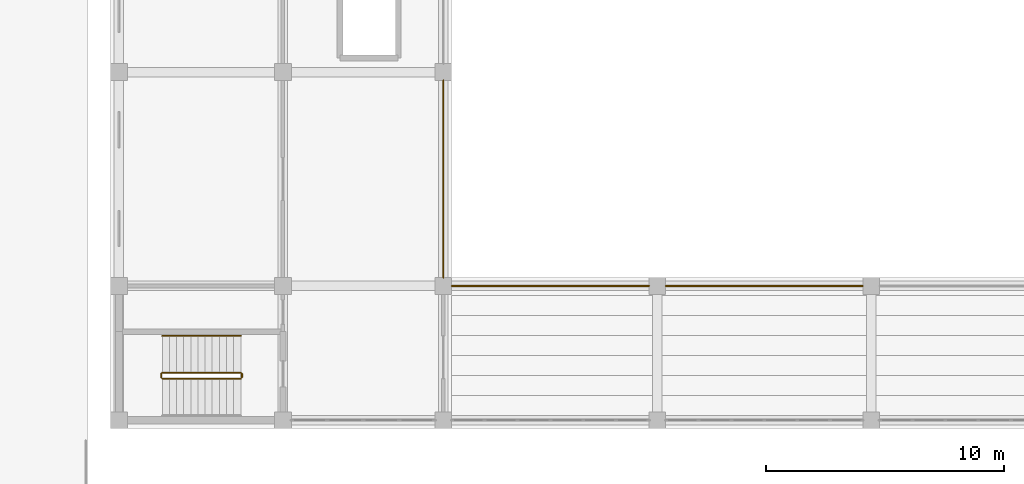
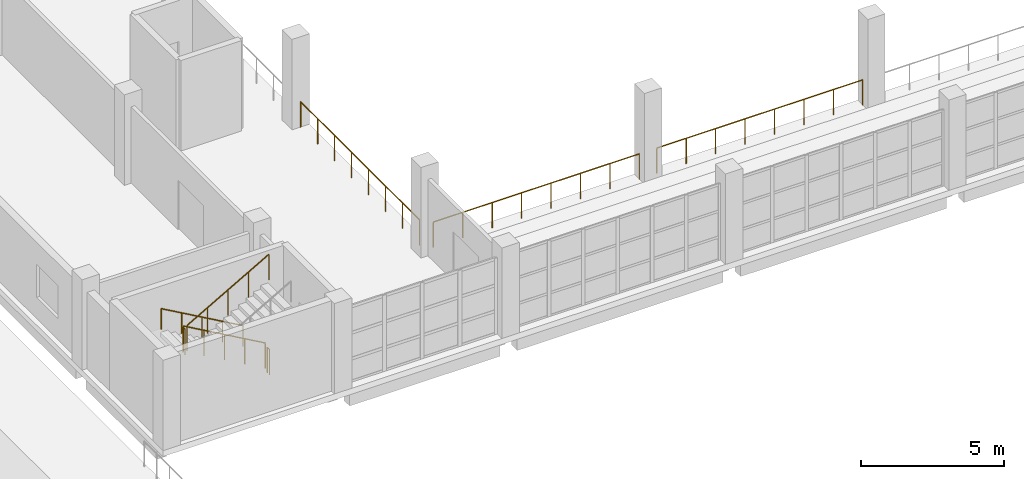
# One storey, part 29 of 36: 8 railings.
"""IFC4 building model written with IfcOpenShell, lengths in metres."""

from ifc_helpers import new_model, si_unit, direction, frame, origin, origin_2d, place, context, subcontext, project, spatial, circle, extrude, material, type_object, element, save


model = new_model("IFC4")

# Units and contexts
model_context = context("Model", 3, precision=1e-05, world=origin(), true_north=direction((0.0, 1.0)))
body_context = subcontext(model_context, "Body", "Model", "MODEL_VIEW")
ifc_project = project(units=[si_unit("LENGTHUNIT", "METRE"), si_unit("AREAUNIT", "SQUARE_METRE"), si_unit("VOLUMEUNIT", "CUBIC_METRE"), si_unit("PLANEANGLEUNIT", "RADIAN"), si_unit("MASSUNIT", "GRAM", prefix="KILO")], contexts=[model_context])

# Site, building, storey
site_placement = place(None, origin())
site = spatial("IfcSite", under=ifc_project, at=site_placement, CompositionType="ELEMENT")
building_placement = place(site_placement, origin())
building = spatial("IfcBuilding", under=site, at=building_placement, Name="Corbel Stack Research Tower", CompositionType="ELEMENT")
storey_placement = place(building_placement, frame((0.0, 0.0, 7.199951171875)))
storey = spatial("IfcBuildingStorey", under=building, at=storey_placement, Name="L01", CompositionType="ELEMENT", Elevation=7.199951171875)

# Railings
ifc_material_1 = material(Name="Steel S235", Category="steel")
railing_type_1 = type_object("IfcRailingType", Name="HR1 guard 1100", PredefinedType="GUARDRAIL", material=ifc_material_1)
railing_1_placement = place(storey_placement, frame((50.949951171875, -17.64990234375, 0.0)))
element("IfcRailing", 1, at=railing_1_placement, inside=storey, type_object=railing_type_1, Name="Court guard 1", PredefinedType="GUARDRAIL", context=body_context, shape_type="SweptSolid", body=[
    extrude(circle(Radius=0.02392578125, at=origin_2d()), frame((0.0, 0.0, 1.076171875), z_axis=(0.0, 1.0, 0.0), x_axis=(-1.0, 0.0, 0.0)), (0.0, 0.0, 1.0), 8.2998046875),
    extrude(circle(Radius=0.02099609375, at=origin_2d()), origin(), (0.0, 0.0, 1.0), 1.052001953125),
    extrude(circle(Radius=0.02099609375, at=origin_2d()), frame((0.0, 1.185791015625, 0.0)), (0.0, 0.0, 1.0), 1.052001953125),
    extrude(circle(Radius=0.02099609375, at=origin_2d()), frame((0.0, 2.371337890625, 0.0)), (0.0, 0.0, 1.0), 1.052001953125),
    extrude(circle(Radius=0.02099609375, at=origin_2d()), frame((0.0, 3.55712890625, 0.0)), (0.0, 0.0, 1.0), 1.052001953125),
    extrude(circle(Radius=0.02099609375, at=origin_2d()), frame((0.0, 4.74267578125, 0.0)), (0.0, 0.0, 1.0), 1.052001953125),
    extrude(circle(Radius=0.02099609375, at=origin_2d()), frame((0.0, 5.928466796875, 0.0)), (0.0, 0.0, 1.0), 1.052001953125),
    extrude(circle(Radius=0.02099609375, at=origin_2d()), frame((0.0, 7.114013671875, 0.0)), (0.0, 0.0, 1.0), 1.052001953125),
    extrude(circle(Radius=0.02099609375, at=origin_2d()), frame((0.0, 8.2998046875, 0.0)), (0.0, 0.0, 1.0), 1.052001953125),
])
for number, where, name in (
    (2, (51.300048828125, -18.0, 0.0), "Court guard 9"),
    (3, (60.300048828125, -18.0, 0.0), "Court guard 11"),
):
    element("IfcRailing", number, at=place(storey_placement, frame(where)), inside=storey, type_object=railing_type_1, Name=name, PredefinedType="GUARDRAIL", context=body_context, shape_type="SweptSolid", body=[
        extrude(circle(Radius=0.02392578125, at=origin_2d()), frame((0.0, 0.0, 1.076171875), z_axis=(1.0, 0.0, 0.0), x_axis=(0.0, 1.0, 0.0)), (0.0, 0.0, 1.0), 8.300048828125),
        extrude(circle(Radius=0.02099609375, at=origin_2d()), origin(), (0.0, 0.0, 1.0), 1.052001953125),
        extrude(circle(Radius=0.02099609375, at=origin_2d()), frame((1.185791015625, 0.0, 0.0)), (0.0, 0.0, 1.0), 1.052001953125),
        extrude(circle(Radius=0.02099609375, at=origin_2d()), frame((2.371337890625, 0.0, 0.0)), (0.0, 0.0, 1.0), 1.052001953125),
        extrude(circle(Radius=0.02099609375, at=origin_2d()), frame((3.55712890625, 0.0, 0.0)), (0.0, 0.0, 1.0), 1.052001953125),
        extrude(circle(Radius=0.02099609375, at=origin_2d()), frame((4.742919921875, 0.0, 0.0)), (0.0, 0.0, 1.0), 1.052001953125),
        extrude(circle(Radius=0.02099609375, at=origin_2d()), frame((5.9287109375, 0.0, 0.0)), (0.0, 0.0, 1.0), 1.052001953125),
        extrude(circle(Radius=0.02099609375, at=origin_2d()), frame((7.1142578125, 0.0, 0.0)), (0.0, 0.0, 1.0), 1.052001953125),
        extrude(circle(Radius=0.02099609375, at=origin_2d()), frame((8.300048828125, 0.0, 0.0)), (0.0, 0.0, 1.0), 1.052001953125),
    ])
railing_2_placement = place(storey_placement, frame((42.425048828125, -21.64990234375, 0.1708984375)))
element("IfcRailing", 4, at=railing_2_placement, inside=storey, type_object=railing_type_1, Name="L01 HS1 stair guard 1", PredefinedType="GUARDRAIL", context=body_context, shape_type="SweptSolid", body=[
    extrude(circle(Radius=0.02392578125, at=origin_2d()), frame((0.0, 0.0, 1.076171875), z_axis=(-0.868989882718, 0.0, 0.494829853317), x_axis=(0.0, -1.0, 0.0)), (0.0, 0.0, 1.0), 3.797607421875),
    extrude(circle(Radius=0.02099609375, at=origin_2d()), origin(), (0.0, 0.0, 1.0), 1.052001953125),
    extrude(circle(Radius=0.02099609375, at=origin_2d()), frame((-0.824951171875, 0.0, 0.4697265625)), (0.0, 0.0, 1.0), 1.052001953125),
    extrude(circle(Radius=0.02099609375, at=origin_2d()), frame((-1.64990234375, 0.0, 0.939453125)), (0.0, 0.0, 1.0), 1.052001953125),
    extrude(circle(Radius=0.02099609375, at=origin_2d()), frame((-2.47509765625, 0.0, 1.409423828125)), (0.0, 0.0, 1.0), 1.052001953125),
    extrude(circle(Radius=0.02099609375, at=origin_2d()), frame((-3.300048828125, 0.0, 1.879150390625)), (0.0, 0.0, 1.0), 1.052001953125),
])
railing_3_placement = place(storey_placement, frame((39.074951171875, -21.699951171875, 2.050048828125)))
element("IfcRailing", 5, at=railing_3_placement, inside=storey, type_object=railing_type_1, Name="L01 HS1 stair guard 2", PredefinedType="GUARDRAIL", context=body_context, shape_type="SweptSolid", body=[
    extrude(circle(Radius=0.02392578125, at=origin_2d()), frame((0.0, 0.0, 1.076171875), z_axis=(0.0, -1.0, 0.0), x_axis=(1.0, 0.0, 0.0)), (0.0, 0.0, 1.0), 0.150146484375),
    extrude(circle(Radius=0.02099609375, at=origin_2d()), origin(), (0.0, 0.0, 1.0), 1.052001953125),
    extrude(circle(Radius=0.02099609375, at=origin_2d()), frame((0.0, -0.150146484375, 0.0)), (0.0, 0.0, 1.0), 1.052001953125),
])
railing_4_placement = place(storey_placement, frame((39.125, -21.89990234375, 2.220947265625)))
element("IfcRailing", 6, at=railing_4_placement, inside=storey, type_object=railing_type_1, Name="L01 HS1 stair guard 3", PredefinedType="GUARDRAIL", context=body_context, shape_type="SweptSolid", body=[
    extrude(circle(Radius=0.02392578125, at=origin_2d()), frame((0.0, 0.0, 1.076171875), z_axis=(0.868989882718, 0.0, 0.494829853317), x_axis=(0.0, 1.0, 0.0)), (0.0, 0.0, 1.0), 3.797607421875),
    extrude(circle(Radius=0.02099609375, at=origin_2d()), origin(), (0.0, 0.0, 1.0), 1.052001953125),
    extrude(circle(Radius=0.02099609375, at=origin_2d()), frame((0.824951171875, 0.0, 0.4697265625)), (0.0, 0.0, 1.0), 1.052001953125),
    extrude(circle(Radius=0.02099609375, at=origin_2d()), frame((1.64990234375, 0.0, 0.939453125)), (0.0, 0.0, 1.0), 1.052001953125),
    extrude(circle(Radius=0.02099609375, at=origin_2d()), frame((2.47509765625, 0.0, 1.409423828125)), (0.0, 0.0, 1.0), 1.052001953125),
    extrude(circle(Radius=0.02099609375, at=origin_2d()), frame((3.300048828125, 0.0, 1.879150390625)), (0.0, 0.0, 1.0), 1.052001953125),
])
railing_5_placement = place(storey_placement, frame((42.47509765625, -21.699951171875, 0.0)))
element("IfcRailing", 7, at=railing_5_placement, inside=storey, type_object=railing_type_1, Name="L01 HS1 stair guard 4", PredefinedType="GUARDRAIL", context=body_context, shape_type="SweptSolid", body=[
    extrude(circle(Radius=0.02392578125, at=origin_2d()), frame((0.0, 0.0, 1.076171875), z_axis=(0.0, -1.0, 0.0), x_axis=(1.0, 0.0, 0.0)), (0.0, 0.0, 1.0), 0.150146484375),
    extrude(circle(Radius=0.02099609375, at=origin_2d()), origin(), (0.0, 0.0, 1.0), 1.052001953125),
    extrude(circle(Radius=0.02099609375, at=origin_2d()), frame((0.0, -0.150146484375, 0.0)), (0.0, 0.0, 1.0), 1.052001953125),
])
ifc_material_2 = material(Name="Steel S235", Category="steel")
railing_type_2 = type_object("IfcRailingType", Name="HR2 handrail 900", PredefinedType="HANDRAIL", material=ifc_material_2)
railing_6_placement = place(storey_placement, frame((42.425048828125, -20.10009765625, 0.1708984375)))
element("IfcRailing", 8, at=railing_6_placement, inside=storey, type_object=railing_type_2, Name="L01 HS1 stair handrail 1", PredefinedType="HANDRAIL", context=body_context, shape_type="SweptSolid", body=[
    extrude(circle(Radius=0.02392578125, at=origin_2d()), frame((0.0, 0.0, 0.8759765625), z_axis=(-0.868989882718, 0.0, 0.494829853317), x_axis=(0.0, -1.0, 0.0)), (0.0, 0.0, 1.0), 3.797607421875),
    extrude(circle(Radius=0.02099609375, at=origin_2d()), origin(), (0.0, 0.0, 1.0), 0.851806640625),
    extrude(circle(Radius=0.02099609375, at=origin_2d()), frame((-0.824951171875, 0.0, 0.4697265625)), (0.0, 0.0, 1.0), 0.851806640625),
    extrude(circle(Radius=0.02099609375, at=origin_2d()), frame((-1.64990234375, 0.0, 0.939453125)), (0.0, 0.0, 1.0), 0.851806640625),
    extrude(circle(Radius=0.02099609375, at=origin_2d()), frame((-2.47509765625, 0.0, 1.409423828125)), (0.0, 0.0, 1.0), 0.851806640625),
    extrude(circle(Radius=0.02099609375, at=origin_2d()), frame((-3.300048828125, 0.0, 1.879150390625)), (0.0, 0.0, 1.0), 0.851806640625),
])

save(model, "model.ifc")
